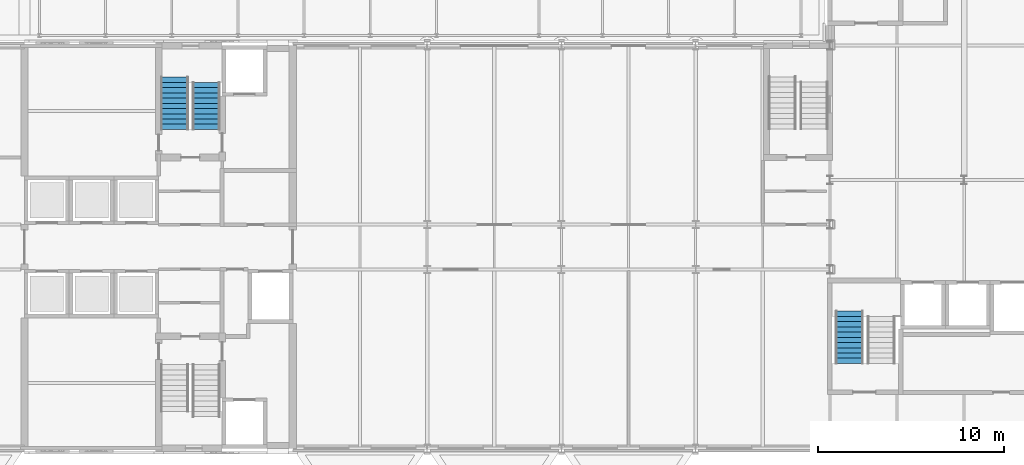
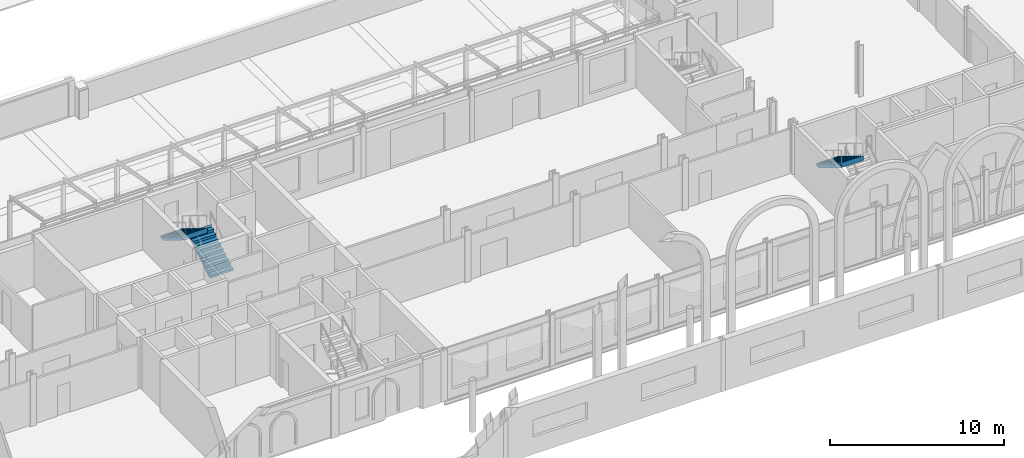
# One storey, part 100 of 143: 3 stair flights, 2 elements without a shape of their own.
"""IFC4 building model written with IfcOpenShell, lengths in metres."""

from ifc_helpers import new_model, si_unit, direction, frame, origin, place, context, subcontext, project, spatial, polyline, outline, extrude, material, type_object, element, aggregate, save


model = new_model("IFC4")

# Units and contexts
model_context = context("Model", 3, precision=1e-05, world=origin(), true_north=direction((0.0, 1.0)))
body_context = subcontext(model_context, "Body", "Model", "MODEL_VIEW")
ifc_project = project(units=[si_unit("LENGTHUNIT", "METRE"), si_unit("AREAUNIT", "SQUARE_METRE"), si_unit("VOLUMEUNIT", "CUBIC_METRE"), si_unit("PLANEANGLEUNIT", "RADIAN"), si_unit("MASSUNIT", "GRAM", prefix="KILO")], contexts=[model_context])

# Site, building, storey
site_placement = place(None, origin())
site = spatial("IfcSite", under=ifc_project, at=site_placement, CompositionType="ELEMENT")
building_placement = place(site_placement, origin())
building = spatial("IfcBuilding", under=site, at=building_placement, Name="Kupolbacken Congress Centre", CompositionType="ELEMENT")
storey_placement = place(building_placement, frame((0.0, 0.0, 7.199951171875)))
storey = spatial("IfcBuildingStorey", under=building, at=storey_placement, Name="L02", CompositionType="ELEMENT", Elevation=7.199951171875)

# Stair, stair flights
ifc_material_1 = material(Name="Steel S355", Category="steel")
stair_type = type_object("IfcStairType", Name="ST2 stair 1500", PredefinedType="TWO_STRAIGHT_RUN_STAIR", material=ifc_material_1)
stair_1_placement = place(storey_placement, origin())
stair_1 = element("IfcStair", 1, at=stair_1_placement, inside=storey, type_object=stair_type, Name="C/stair/TS2/L02", PredefinedType="NOTDEFINED")
ifc_material_2 = material(Name="Steel S355", Category="steel")
stair_flight_type_1 = type_object("IfcStairFlightType", Name="FL3 stair flight 1500 x 10 risers", PredefinedType="STRAIGHT", material=ifc_material_2)
stair_flight_1_placement = place(storey_placement, frame((103.35009765625, 139.5048828125, 0.0), z_axis=(0.0, 0.0, 1.0), x_axis=(0.0, 1.0, 0.0)))
stair_flight_1 = element("IfcStairFlight", 2, at=stair_flight_1_placement, type_object=stair_flight_type_1, Name="TS2 flight 1", NumberOfRisers=10, NumberOfTreads=9, PredefinedType="STRAIGHT", RiserHeight=0.171428571, TreadLength=0.28, context=body_context, shape_type="SweptSolid", body=[
    extrude(outline(polyline([(0.0, 0.0), (0.0, 0.0009765625), (0.0, 0.002197265625), (0.0, 0.003173828125), (0.0, 0.004150390625), (0.0, 0.00537109375), (0.0, 0.00634765625), (0.0, 0.007568359375), (0.0, 0.008544921875), (0.0, 0.009521484375), (0.0, 0.0107421875), (0.0, 0.01171875), (0.0, 0.0126953125), (0.0, 0.013916015625), (0.0, 0.014892578125), (0.0, 0.015869140625), (0.0, 0.01708984375), (0.0, 0.01806640625), (0.0, 0.019287109375), (0.0, 0.020263671875), (0.0, 0.021240234375), (0.0, 0.0224609375), (0.0, 0.0234375), (0.0, 0.0244140625), (0.0, 0.025634765625), (0.0, 0.026611328125), (0.0, 0.027587890625), (0.0, 0.02880859375), (0.0, 0.02978515625), (0.0, 0.03076171875), (0.0, 0.031982421875), (0.0, 0.032958984375), (0.0, 0.0341796875), (0.0, 0.03515625), (0.0, 0.0361328125), (0.0, 0.037353515625), (0.0, 0.038330078125), (0.0, 0.039306640625), (0.0, 0.04052734375), (0.0, 0.04150390625), (0.0, 0.04248046875), (0.0, 0.043701171875), (0.0, 0.044677734375), (0.0, 0.0458984375), (0.0, 0.046875), (0.0, 0.0478515625), (0.0, 0.049072265625), (0.0, 0.050048828125), (0.0, 0.051025390625), (0.0, 0.05224609375), (0.0, 0.05322265625), (0.0, 0.05419921875), (0.0, 0.055419921875), (0.0, 0.056396484375), (0.0, 0.0576171875), (0.0, 0.05859375), (0.0, 0.0595703125), (0.0, 0.060791015625), (0.0, 0.061767578125), (0.0, 0.062744140625), (0.0, 0.06396484375), (0.0, 0.06494140625), (0.0, 0.06591796875), (0.0, 0.067138671875), (0.0, 0.068115234375), (0.0, 0.069091796875), (0.0, 0.0703125), (0.0, 0.0712890625), (0.0, 0.072509765625), (0.0, 0.073486328125), (0.0, 0.074462890625), (0.0, 0.07568359375), (0.0, 0.07666015625), (0.0, 0.07763671875), (0.0, 0.078857421875), (0.0, 0.079833984375), (0.0, 0.080810546875), (0.0, 0.08203125), (0.0, 0.0830078125), (0.0, 0.084228515625), (0.0, 0.085205078125), (0.0, 0.086181640625), (0.0, 0.08740234375), (0.0, 0.08837890625), (0.0, 0.08935546875), (0.0, 0.090576171875), (0.0, 0.091552734375), (0.0, 0.092529296875), (0.0, 0.09375), (0.0, 0.0947265625), (0.0, 0.095947265625), (0.0, 0.096923828125), (0.0, 0.097900390625), (0.0, 0.09912109375), (0.0, 0.10009765625), (0.0, 0.10107421875), (0.0, 0.102294921875), (0.0, 0.103271484375), (0.0, 0.104248046875), (0.0, 0.10546875), (0.0, 0.1064453125), (0.0, 0.107421875), (0.0, 0.108642578125), (0.0, 0.109619140625), (0.0, 0.11083984375), (0.0, 0.11181640625), (0.0, 0.11279296875), (0.0, 0.114013671875), (0.0, 0.114990234375), (0.0, 0.115966796875), (0.0, 0.1171875), (0.0, 0.1181640625), (0.0, 0.119140625), (0.0, 0.120361328125), (0.0, 0.121337890625), (0.0, 0.12255859375), (0.0, 0.12353515625), (0.0, 0.12451171875), (0.0, 0.125732421875), (0.0, 0.126708984375), (0.0, 0.127685546875), (0.0, 0.12890625), (0.0, 0.1298828125), (0.0, 0.130859375), (0.0, 0.132080078125), (0.0, 0.133056640625), (0.0, 0.13427734375), (0.0, 0.13525390625), (0.0, 0.13623046875), (0.0, 0.137451171875), (0.0, 0.138427734375), (0.0, 0.139404296875), (0.0, 0.140625), (0.0, 0.1416015625), (0.0, 0.142578125), (0.0, 0.143798828125), (0.0, 0.144775390625), (0.0, 0.145751953125), (0.0, 0.14697265625), (0.0, 0.14794921875), (0.0, 0.149169921875), (0.0, 0.150146484375), (0.0, 0.151123046875), (0.0, 0.15234375), (0.0, 0.1533203125), (0.0, 0.154296875), (0.0, 0.155517578125), (0.0, 0.156494140625), (0.0, 0.157470703125), (0.0, 0.15869140625), (0.0, 0.15966796875), (0.0, 0.160888671875), (0.0, 0.161865234375), (0.0, 0.162841796875), (0.0, 0.1640625), (0.0, 0.1650390625), (0.0, 0.166015625), (0.0, 0.167236328125), (0.0, 0.168212890625), (0.0, 0.169189453125), (0.0, 0.17041015625), (0.0, 0.17138671875), (0.280029296875, 0.17138671875), (0.280029296875, 0.3427734375), (0.56005859375, 0.3427734375), (0.56005859375, 0.514404296875), (0.840087890625, 0.514404296875), (0.840087890625, 0.685791015625), (1.1201171875, 0.685791015625), (1.1201171875, 0.857177734375), (1.39990234375, 0.857177734375), (1.39990234375, 1.028564453125), (1.679931640625, 1.028564453125), (1.679931640625, 1.199951171875), (1.9599609375, 1.199951171875), (1.9599609375, 1.371337890625), (2.239990234375, 1.371337890625), (2.239990234375, 1.54296875), (2.52001953125, 1.54296875), (2.52001953125, 1.71435546875), (2.52197265625, 1.71435546875), (2.52197265625, 1.712158203125), (2.52197265625, 1.7099609375), (2.52197265625, 1.707763671875), (2.52197265625, 1.70556640625), (2.52197265625, 1.70361328125), (2.52197265625, 1.701416015625), (2.52197265625, 1.69921875), (2.52197265625, 1.697021484375), (2.52197265625, 1.69482421875), (2.52197265625, 1.692626953125), (2.52197265625, 1.690673828125), (2.52197265625, 1.6884765625), (2.52197265625, 1.686279296875), (2.52197265625, 1.68408203125), (2.52197265625, 1.681884765625), (2.52197265625, 1.6796875), (2.52197265625, 1.677734375), (2.52197265625, 1.675537109375), (2.52197265625, 1.67333984375), (2.52197265625, 1.671142578125), (2.52197265625, 1.6689453125), (2.52197265625, 1.666748046875), (2.52197265625, 1.664794921875), (2.52197265625, 1.66259765625), (2.52197265625, 1.660400390625), (2.52197265625, 1.658203125), (2.52197265625, 1.656005859375), (2.52197265625, 1.65380859375), (2.52197265625, 1.65185546875), (2.52197265625, 1.649658203125), (2.52197265625, 1.6474609375), (2.52197265625, 1.645263671875), (2.52197265625, 1.64306640625), (2.52197265625, 1.640869140625), (2.52197265625, 1.638916015625), (2.52197265625, 1.63671875), (2.52197265625, 1.634521484375), (2.52197265625, 1.63232421875), (2.52197265625, 1.630126953125), (2.52197265625, 1.6279296875), (2.52197265625, 1.6259765625), (2.52197265625, 1.623779296875), (2.52197265625, 1.62158203125), (2.52197265625, 1.619384765625), (2.52197265625, 1.6171875), (2.52197265625, 1.614990234375), (2.52197265625, 1.613037109375), (2.52197265625, 1.61083984375), (2.52197265625, 1.608642578125), (2.52197265625, 1.6064453125), (2.52197265625, 1.604248046875), (2.52197265625, 1.60205078125), (2.52197265625, 1.60009765625), (2.52197265625, 1.597900390625), (2.52197265625, 1.595703125), (2.52197265625, 1.593505859375), (2.52197265625, 1.59130859375), (2.52197265625, 1.589111328125), (2.52197265625, 1.587158203125), (2.52197265625, 1.5849609375), (2.52197265625, 1.582763671875), (2.52197265625, 1.58056640625), (2.52197265625, 1.578369140625), (2.52197265625, 1.576171875), (2.52197265625, 1.57421875), (2.52197265625, 1.572021484375), (2.52197265625, 1.56982421875), (2.52197265625, 1.567626953125), (2.52197265625, 1.5654296875), (2.52197265625, 1.563232421875), (2.52197265625, 1.561279296875), (2.52197265625, 1.55908203125), (2.52197265625, 1.556884765625), (2.52197265625, 1.5546875), (2.52197265625, 1.552490234375), (2.52197265625, 1.55029296875), (2.52197265625, 1.54833984375), (2.52197265625, 1.546142578125), (2.52197265625, 1.5439453125), (2.52197265625, 1.541748046875), (2.52197265625, 1.53955078125), (2.52197265625, 1.537353515625), (2.52197265625, 1.535400390625), (2.52197265625, 1.533203125), (2.52197265625, 1.531005859375), (2.52197265625, 1.52880859375), (2.52197265625, 1.526611328125), (2.52197265625, 1.5244140625), (2.52197265625, 1.5224609375), (2.52197265625, 1.520263671875), (2.52197265625, 1.51806640625), (2.52197265625, 1.515869140625), (2.52197265625, 1.513671875), (2.52197265625, 1.511474609375), (2.52197265625, 1.509521484375), (2.52197265625, 1.50732421875), (2.52197265625, 1.505126953125), (2.52197265625, 1.5029296875), (2.52197265625, 1.500732421875), (2.52197265625, 1.49853515625), (2.52197265625, 1.49658203125), (2.52197265625, 1.494384765625), (2.52197265625, 1.4921875), (2.52197265625, 1.489990234375), (2.52197265625, 1.48779296875), (2.52197265625, 1.485595703125), (2.52197265625, 1.483642578125), (2.52197265625, 1.4814453125), (2.52197265625, 1.479248046875), (2.52197265625, 1.47705078125), (2.52197265625, 1.474853515625), (2.52197265625, 1.47265625), (2.52197265625, 1.470703125), (2.52197265625, 1.468505859375), (2.52197265625, 1.46630859375), (2.52197265625, 1.464111328125), (2.52197265625, 1.4619140625), (2.52197265625, 1.459716796875), (2.52197265625, 1.457763671875), (2.52197265625, 1.45556640625), (2.52197265625, 1.453369140625), (2.52197265625, 1.451171875), (2.52197265625, 1.448974609375), (2.52197265625, 1.44677734375), (2.52197265625, 1.44482421875), (2.52197265625, 1.442626953125), (2.52197265625, 1.4404296875), (2.52197265625, 1.438232421875), (2.52197265625, 1.43603515625), (2.52197265625, 1.433837890625), (2.52197265625, 1.431884765625), (2.52197265625, 1.4296875), (2.52197265625, 1.427490234375), (2.52197265625, 1.42529296875), (2.52197265625, 1.423095703125), (2.52197265625, 1.4208984375), (2.52197265625, 1.4189453125), (2.52197265625, 1.416748046875), (2.52197265625, 1.41455078125), (2.52197265625, 1.412353515625), (2.52197265625, 1.41015625), (2.52197265625, 1.407958984375), (2.52197265625, 1.406005859375), (2.52197265625, 1.40380859375), (2.52197265625, 1.401611328125), (2.52197265625, 1.3994140625), (2.52197265625, 1.397216796875), (2.52197265625, 1.39501953125), (2.52197265625, 1.39306640625), (2.52197265625, 1.390869140625), (2.52197265625, 1.388671875), (2.52197265625, 1.386474609375), (2.52197265625, 1.38427734375), (2.52197265625, 1.382080078125), (2.52197265625, 1.380126953125), (2.52197265625, 1.3779296875), (2.52197265625, 1.375732421875), (2.52197265625, 1.37353515625), (2.52197265625, 1.371337890625), (2.52197265625, 1.369140625), (2.52197265625, 1.3671875), (0.2890625, 0.0), (0.0, 0.0)])), frame((0.0, 0.75, 0.0), z_axis=(0.0, -1.0, 0.0), x_axis=(1.0, 0.0, 0.0)), (0.0, 0.0, 1.0), 1.5),
])
ifc_material_3 = material(Name="Steel S355", Category="steel")
stair_flight_type_2 = type_object("IfcStairFlightType", Name="FL4 stair flight 1500 x 11 risers", PredefinedType="STRAIGHT", material=ifc_material_3)
stair_flight_2_placement = place(storey_placement, frame((101.64990234375, 142.304931640625, 1.71435546875), z_axis=(0.0, 0.0, 1.0), x_axis=(0.0, -1.0, 0.0)))
stair_flight_2 = element("IfcStairFlight", 3, at=stair_flight_2_placement, type_object=stair_flight_type_2, Name="TS2 flight 2", NumberOfRisers=11, NumberOfTreads=10, PredefinedType="STRAIGHT", RiserHeight=0.171428571, TreadLength=0.28, context=body_context, shape_type="SweptSolid", body=[
    extrude(outline(polyline([(0.0, 0.0), (0.0, 0.0009765625), (0.0, 0.002197265625), (0.0, 0.003173828125), (0.0, 0.004150390625), (0.0, 0.00537109375), (0.0, 0.00634765625), (0.0, 0.007568359375), (0.0, 0.008544921875), (0.0, 0.009521484375), (0.0, 0.0107421875), (0.0, 0.01171875), (0.0, 0.0126953125), (0.0, 0.013916015625), (0.0, 0.014892578125), (0.0, 0.015869140625), (0.0, 0.01708984375), (0.0, 0.01806640625), (0.0, 0.019287109375), (0.0, 0.020263671875), (0.0, 0.021240234375), (0.0, 0.0224609375), (0.0, 0.0234375), (0.0, 0.0244140625), (0.0, 0.025634765625), (0.0, 0.026611328125), (0.0, 0.027587890625), (0.0, 0.02880859375), (0.0, 0.02978515625), (0.0, 0.03076171875), (0.0, 0.031982421875), (0.0, 0.032958984375), (0.0, 0.0341796875), (0.0, 0.03515625), (0.0, 0.0361328125), (0.0, 0.037353515625), (0.0, 0.038330078125), (0.0, 0.039306640625), (0.0, 0.04052734375), (0.0, 0.04150390625), (0.0, 0.04248046875), (0.0, 0.043701171875), (0.0, 0.044677734375), (0.0, 0.0458984375), (0.0, 0.046875), (0.0, 0.0478515625), (0.0, 0.049072265625), (0.0, 0.050048828125), (0.0, 0.051025390625), (0.0, 0.05224609375), (0.0, 0.05322265625), (0.0, 0.05419921875), (0.0, 0.055419921875), (0.0, 0.056396484375), (0.0, 0.0576171875), (0.0, 0.05859375), (0.0, 0.0595703125), (0.0, 0.060791015625), (0.0, 0.061767578125), (0.0, 0.062744140625), (0.0, 0.06396484375), (0.0, 0.06494140625), (0.0, 0.06591796875), (0.0, 0.067138671875), (0.0, 0.068115234375), (0.0, 0.069091796875), (0.0, 0.0703125), (0.0, 0.0712890625), (0.0, 0.072509765625), (0.0, 0.073486328125), (0.0, 0.074462890625), (0.0, 0.07568359375), (0.0, 0.07666015625), (0.0, 0.07763671875), (0.0, 0.078857421875), (0.0, 0.079833984375), (0.0, 0.080810546875), (0.0, 0.08203125), (0.0, 0.0830078125), (0.0, 0.084228515625), (0.0, 0.085205078125), (0.0, 0.086181640625), (0.0, 0.08740234375), (0.0, 0.08837890625), (0.0, 0.08935546875), (0.0, 0.090576171875), (0.0, 0.091552734375), (0.0, 0.092529296875), (0.0, 0.09375), (0.0, 0.0947265625), (0.0, 0.095947265625), (0.0, 0.096923828125), (0.0, 0.097900390625), (0.0, 0.09912109375), (0.0, 0.10009765625), (0.0, 0.10107421875), (0.0, 0.102294921875), (0.0, 0.103271484375), (0.0, 0.104248046875), (0.0, 0.10546875), (0.0, 0.1064453125), (0.0, 0.107421875), (0.0, 0.108642578125), (0.0, 0.109619140625), (0.0, 0.11083984375), (0.0, 0.11181640625), (0.0, 0.11279296875), (0.0, 0.114013671875), (0.0, 0.114990234375), (0.0, 0.115966796875), (0.0, 0.1171875), (0.0, 0.1181640625), (0.0, 0.119140625), (0.0, 0.120361328125), (0.0, 0.121337890625), (0.0, 0.12255859375), (0.0, 0.12353515625), (0.0, 0.12451171875), (0.0, 0.125732421875), (0.0, 0.126708984375), (0.0, 0.127685546875), (0.0, 0.12890625), (0.0, 0.1298828125), (0.0, 0.130859375), (0.0, 0.132080078125), (0.0, 0.133056640625), (0.0, 0.13427734375), (0.0, 0.13525390625), (0.0, 0.13623046875), (0.0, 0.137451171875), (0.0, 0.138427734375), (0.0, 0.139404296875), (0.0, 0.140625), (0.0, 0.1416015625), (0.0, 0.142578125), (0.0, 0.143798828125), (0.0, 0.144775390625), (0.0, 0.145751953125), (0.0, 0.14697265625), (0.0, 0.14794921875), (0.0, 0.149169921875), (0.0, 0.150146484375), (0.0, 0.151123046875), (0.0, 0.15234375), (0.0, 0.1533203125), (0.0, 0.154296875), (0.0, 0.155517578125), (0.0, 0.156494140625), (0.0, 0.157470703125), (0.0, 0.15869140625), (0.0, 0.15966796875), (0.0, 0.160888671875), (0.0, 0.161865234375), (0.0, 0.162841796875), (0.0, 0.1640625), (0.0, 0.1650390625), (0.0, 0.166015625), (0.0, 0.167236328125), (0.0, 0.168212890625), (0.0, 0.169189453125), (0.0, 0.17041015625), (0.0, 0.17138671875), (0.280029296875, 0.17138671875), (0.280029296875, 0.3427734375), (0.56005859375, 0.3427734375), (0.56005859375, 0.514404296875), (0.840087890625, 0.514404296875), (0.840087890625, 0.685791015625), (1.1201171875, 0.685791015625), (1.1201171875, 0.857177734375), (1.39990234375, 0.857177734375), (1.39990234375, 1.028564453125), (1.679931640625, 1.028564453125), (1.679931640625, 1.199951171875), (1.9599609375, 1.199951171875), (1.9599609375, 1.371337890625), (2.239990234375, 1.371337890625), (2.239990234375, 1.54296875), (2.52001953125, 1.54296875), (2.52001953125, 1.71435546875), (2.800048828125, 1.71435546875), (2.800048828125, 1.8857421875), (2.802001953125, 1.8857421875), (2.802001953125, 1.883544921875), (2.802001953125, 1.88134765625), (2.802001953125, 1.879150390625), (2.802001953125, 1.877197265625), (2.802001953125, 1.875), (2.802001953125, 1.872802734375), (2.802001953125, 1.87060546875), (2.802001953125, 1.868408203125), (2.802001953125, 1.8662109375), (2.802001953125, 1.8642578125), (2.802001953125, 1.862060546875), (2.802001953125, 1.85986328125), (2.802001953125, 1.857666015625), (2.802001953125, 1.85546875), (2.802001953125, 1.853271484375), (2.802001953125, 1.851318359375), (2.802001953125, 1.84912109375), (2.802001953125, 1.846923828125), (2.802001953125, 1.8447265625), (2.802001953125, 1.842529296875), (2.802001953125, 1.84033203125), (2.802001953125, 1.83837890625), (2.802001953125, 1.836181640625), (2.802001953125, 1.833984375), (2.802001953125, 1.831787109375), (2.802001953125, 1.82958984375), (2.802001953125, 1.827392578125), (2.802001953125, 1.825439453125), (2.802001953125, 1.8232421875), (2.802001953125, 1.821044921875), (2.802001953125, 1.81884765625), (2.802001953125, 1.816650390625), (2.802001953125, 1.814453125), (2.802001953125, 1.8125), (2.802001953125, 1.810302734375), (2.802001953125, 1.80810546875), (2.802001953125, 1.805908203125), (2.802001953125, 1.8037109375), (2.802001953125, 1.801513671875), (2.802001953125, 1.799560546875), (2.802001953125, 1.79736328125), (2.802001953125, 1.795166015625), (2.802001953125, 1.79296875), (2.802001953125, 1.790771484375), (2.802001953125, 1.78857421875), (2.802001953125, 1.78662109375), (2.802001953125, 1.784423828125), (2.802001953125, 1.7822265625), (2.802001953125, 1.780029296875), (2.802001953125, 1.77783203125), (2.802001953125, 1.775634765625), (2.802001953125, 1.773681640625), (2.802001953125, 1.771484375), (2.802001953125, 1.769287109375), (2.802001953125, 1.76708984375), (2.802001953125, 1.764892578125), (2.802001953125, 1.7626953125), (2.802001953125, 1.7607421875), (2.802001953125, 1.758544921875), (2.802001953125, 1.75634765625), (2.802001953125, 1.754150390625), (2.802001953125, 1.751953125), (2.802001953125, 1.749755859375), (2.802001953125, 1.747802734375), (2.802001953125, 1.74560546875), (2.802001953125, 1.743408203125), (2.802001953125, 1.7412109375), (2.802001953125, 1.739013671875), (2.802001953125, 1.73681640625), (2.802001953125, 1.73486328125), (2.802001953125, 1.732666015625), (2.802001953125, 1.73046875), (2.802001953125, 1.728271484375), (2.802001953125, 1.72607421875), (2.802001953125, 1.723876953125), (2.802001953125, 1.721923828125), (2.802001953125, 1.7197265625), (2.802001953125, 1.717529296875), (2.802001953125, 1.71533203125), (2.802001953125, 1.713134765625), (2.802001953125, 1.7109375), (2.802001953125, 1.708984375), (2.802001953125, 1.706787109375), (2.802001953125, 1.70458984375), (2.802001953125, 1.702392578125), (2.802001953125, 1.7001953125), (2.802001953125, 1.697998046875), (2.802001953125, 1.696044921875), (2.802001953125, 1.69384765625), (2.802001953125, 1.691650390625), (2.802001953125, 1.689453125), (2.802001953125, 1.687255859375), (2.802001953125, 1.68505859375), (2.802001953125, 1.68310546875), (2.802001953125, 1.680908203125), (2.802001953125, 1.6787109375), (2.802001953125, 1.676513671875), (2.802001953125, 1.67431640625), (2.802001953125, 1.672119140625), (2.802001953125, 1.670166015625), (2.802001953125, 1.66796875), (2.802001953125, 1.665771484375), (2.802001953125, 1.66357421875), (2.802001953125, 1.661376953125), (2.802001953125, 1.6591796875), (2.802001953125, 1.6572265625), (2.802001953125, 1.655029296875), (2.802001953125, 1.65283203125), (2.802001953125, 1.650634765625), (2.802001953125, 1.6484375), (2.802001953125, 1.646240234375), (2.802001953125, 1.644287109375), (2.802001953125, 1.64208984375), (2.802001953125, 1.639892578125), (2.802001953125, 1.6376953125), (2.802001953125, 1.635498046875), (2.802001953125, 1.63330078125), (2.802001953125, 1.63134765625), (2.802001953125, 1.629150390625), (2.802001953125, 1.626953125), (2.802001953125, 1.624755859375), (2.802001953125, 1.62255859375), (2.802001953125, 1.620361328125), (2.802001953125, 1.618408203125), (2.802001953125, 1.6162109375), (2.802001953125, 1.614013671875), (2.802001953125, 1.61181640625), (2.802001953125, 1.609619140625), (2.802001953125, 1.607421875), (2.802001953125, 1.60546875), (2.802001953125, 1.603271484375), (2.802001953125, 1.60107421875), (2.802001953125, 1.598876953125), (2.802001953125, 1.5966796875), (2.802001953125, 1.594482421875), (2.802001953125, 1.592529296875), (2.802001953125, 1.59033203125), (2.802001953125, 1.588134765625), (2.802001953125, 1.5859375), (2.802001953125, 1.583740234375), (2.802001953125, 1.58154296875), (2.802001953125, 1.57958984375), (2.802001953125, 1.577392578125), (2.802001953125, 1.5751953125), (2.802001953125, 1.572998046875), (2.802001953125, 1.57080078125), (2.802001953125, 1.568603515625), (2.802001953125, 1.566650390625), (2.802001953125, 1.564453125), (2.802001953125, 1.562255859375), (2.802001953125, 1.56005859375), (2.802001953125, 1.557861328125), (2.802001953125, 1.5556640625), (2.802001953125, 1.5537109375), (2.802001953125, 1.551513671875), (2.802001953125, 1.54931640625), (2.802001953125, 1.547119140625), (2.802001953125, 1.544921875), (2.802001953125, 1.542724609375), (2.802001953125, 1.540771484375), (2.802001953125, 1.53857421875), (0.2890625, 0.0), (0.0, 0.0)])), frame((0.0, 0.75, 0.0), z_axis=(0.0, -1.0, 0.0), x_axis=(1.0, 0.0, 0.0)), (0.0, 0.0, 1.0), 1.5),
])
aggregate(stair_1, [stair_flight_1, stair_flight_2])

# Stair, stair flight
stair_2_placement = place(storey_placement, origin())
stair_2 = element("IfcStair", 4, at=stair_2_placement, inside=storey, type_object=stair_type, Name="C/stair/BS1/L02", PredefinedType="NOTDEFINED")
stair_flight_3_placement = place(storey_placement, frame((137.85009765625, 129.7548828125, 1.71435546875), z_axis=(0.0, 0.0, 1.0), x_axis=(0.0, -1.0, 0.0)))
stair_flight_3 = element("IfcStairFlight", 5, at=stair_flight_3_placement, type_object=stair_flight_type_2, Name="BS1 flight 2", NumberOfRisers=11, NumberOfTreads=10, PredefinedType="STRAIGHT", RiserHeight=0.171428571, TreadLength=0.28, context=body_context, shape_type="SweptSolid", body=[
    extrude(outline(polyline([(0.0, 0.0), (0.0, 0.0009765625), (0.0, 0.002197265625), (0.0, 0.003173828125), (0.0, 0.004150390625), (0.0, 0.00537109375), (0.0, 0.00634765625), (0.0, 0.007568359375), (0.0, 0.008544921875), (0.0, 0.009521484375), (0.0, 0.0107421875), (0.0, 0.01171875), (0.0, 0.0126953125), (0.0, 0.013916015625), (0.0, 0.014892578125), (0.0, 0.015869140625), (0.0, 0.01708984375), (0.0, 0.01806640625), (0.0, 0.019287109375), (0.0, 0.020263671875), (0.0, 0.021240234375), (0.0, 0.0224609375), (0.0, 0.0234375), (0.0, 0.0244140625), (0.0, 0.025634765625), (0.0, 0.026611328125), (0.0, 0.027587890625), (0.0, 0.02880859375), (0.0, 0.02978515625), (0.0, 0.03076171875), (0.0, 0.031982421875), (0.0, 0.032958984375), (0.0, 0.0341796875), (0.0, 0.03515625), (0.0, 0.0361328125), (0.0, 0.037353515625), (0.0, 0.038330078125), (0.0, 0.039306640625), (0.0, 0.04052734375), (0.0, 0.04150390625), (0.0, 0.04248046875), (0.0, 0.043701171875), (0.0, 0.044677734375), (0.0, 0.0458984375), (0.0, 0.046875), (0.0, 0.0478515625), (0.0, 0.049072265625), (0.0, 0.050048828125), (0.0, 0.051025390625), (0.0, 0.05224609375), (0.0, 0.05322265625), (0.0, 0.05419921875), (0.0, 0.055419921875), (0.0, 0.056396484375), (0.0, 0.0576171875), (0.0, 0.05859375), (0.0, 0.0595703125), (0.0, 0.060791015625), (0.0, 0.061767578125), (0.0, 0.062744140625), (0.0, 0.06396484375), (0.0, 0.06494140625), (0.0, 0.06591796875), (0.0, 0.067138671875), (0.0, 0.068115234375), (0.0, 0.069091796875), (0.0, 0.0703125), (0.0, 0.0712890625), (0.0, 0.072509765625), (0.0, 0.073486328125), (0.0, 0.074462890625), (0.0, 0.07568359375), (0.0, 0.07666015625), (0.0, 0.07763671875), (0.0, 0.078857421875), (0.0, 0.079833984375), (0.0, 0.080810546875), (0.0, 0.08203125), (0.0, 0.0830078125), (0.0, 0.084228515625), (0.0, 0.085205078125), (0.0, 0.086181640625), (0.0, 0.08740234375), (0.0, 0.08837890625), (0.0, 0.08935546875), (0.0, 0.090576171875), (0.0, 0.091552734375), (0.0, 0.092529296875), (0.0, 0.09375), (0.0, 0.0947265625), (0.0, 0.095947265625), (0.0, 0.096923828125), (0.0, 0.097900390625), (0.0, 0.09912109375), (0.0, 0.10009765625), (0.0, 0.10107421875), (0.0, 0.102294921875), (0.0, 0.103271484375), (0.0, 0.104248046875), (0.0, 0.10546875), (0.0, 0.1064453125), (0.0, 0.107421875), (0.0, 0.108642578125), (0.0, 0.109619140625), (0.0, 0.11083984375), (0.0, 0.11181640625), (0.0, 0.11279296875), (0.0, 0.114013671875), (0.0, 0.114990234375), (0.0, 0.115966796875), (0.0, 0.1171875), (0.0, 0.1181640625), (0.0, 0.119140625), (0.0, 0.120361328125), (0.0, 0.121337890625), (0.0, 0.12255859375), (0.0, 0.12353515625), (0.0, 0.12451171875), (0.0, 0.125732421875), (0.0, 0.126708984375), (0.0, 0.127685546875), (0.0, 0.12890625), (0.0, 0.1298828125), (0.0, 0.130859375), (0.0, 0.132080078125), (0.0, 0.133056640625), (0.0, 0.13427734375), (0.0, 0.13525390625), (0.0, 0.13623046875), (0.0, 0.137451171875), (0.0, 0.138427734375), (0.0, 0.139404296875), (0.0, 0.140625), (0.0, 0.1416015625), (0.0, 0.142578125), (0.0, 0.143798828125), (0.0, 0.144775390625), (0.0, 0.145751953125), (0.0, 0.14697265625), (0.0, 0.14794921875), (0.0, 0.149169921875), (0.0, 0.150146484375), (0.0, 0.151123046875), (0.0, 0.15234375), (0.0, 0.1533203125), (0.0, 0.154296875), (0.0, 0.155517578125), (0.0, 0.156494140625), (0.0, 0.157470703125), (0.0, 0.15869140625), (0.0, 0.15966796875), (0.0, 0.160888671875), (0.0, 0.161865234375), (0.0, 0.162841796875), (0.0, 0.1640625), (0.0, 0.1650390625), (0.0, 0.166015625), (0.0, 0.167236328125), (0.0, 0.168212890625), (0.0, 0.169189453125), (0.0, 0.17041015625), (0.0, 0.17138671875), (0.280029296875, 0.17138671875), (0.280029296875, 0.3427734375), (0.56005859375, 0.3427734375), (0.56005859375, 0.514404296875), (0.840087890625, 0.514404296875), (0.840087890625, 0.685791015625), (1.1201171875, 0.685791015625), (1.1201171875, 0.857177734375), (1.39990234375, 0.857177734375), (1.39990234375, 1.028564453125), (1.679931640625, 1.028564453125), (1.679931640625, 1.199951171875), (1.9599609375, 1.199951171875), (1.9599609375, 1.371337890625), (2.239990234375, 1.371337890625), (2.239990234375, 1.54296875), (2.52001953125, 1.54296875), (2.52001953125, 1.71435546875), (2.800048828125, 1.71435546875), (2.800048828125, 1.8857421875), (2.802001953125, 1.8857421875), (2.802001953125, 1.883544921875), (2.802001953125, 1.88134765625), (2.802001953125, 1.879150390625), (2.802001953125, 1.877197265625), (2.802001953125, 1.875), (2.802001953125, 1.872802734375), (2.802001953125, 1.87060546875), (2.802001953125, 1.868408203125), (2.802001953125, 1.8662109375), (2.802001953125, 1.8642578125), (2.802001953125, 1.862060546875), (2.802001953125, 1.85986328125), (2.802001953125, 1.857666015625), (2.802001953125, 1.85546875), (2.802001953125, 1.853271484375), (2.802001953125, 1.851318359375), (2.802001953125, 1.84912109375), (2.802001953125, 1.846923828125), (2.802001953125, 1.8447265625), (2.802001953125, 1.842529296875), (2.802001953125, 1.84033203125), (2.802001953125, 1.83837890625), (2.802001953125, 1.836181640625), (2.802001953125, 1.833984375), (2.802001953125, 1.831787109375), (2.802001953125, 1.82958984375), (2.802001953125, 1.827392578125), (2.802001953125, 1.825439453125), (2.802001953125, 1.8232421875), (2.802001953125, 1.821044921875), (2.802001953125, 1.81884765625), (2.802001953125, 1.816650390625), (2.802001953125, 1.814453125), (2.802001953125, 1.8125), (2.802001953125, 1.810302734375), (2.802001953125, 1.80810546875), (2.802001953125, 1.805908203125), (2.802001953125, 1.8037109375), (2.802001953125, 1.801513671875), (2.802001953125, 1.799560546875), (2.802001953125, 1.79736328125), (2.802001953125, 1.795166015625), (2.802001953125, 1.79296875), (2.802001953125, 1.790771484375), (2.802001953125, 1.78857421875), (2.802001953125, 1.78662109375), (2.802001953125, 1.784423828125), (2.802001953125, 1.7822265625), (2.802001953125, 1.780029296875), (2.802001953125, 1.77783203125), (2.802001953125, 1.775634765625), (2.802001953125, 1.773681640625), (2.802001953125, 1.771484375), (2.802001953125, 1.769287109375), (2.802001953125, 1.76708984375), (2.802001953125, 1.764892578125), (2.802001953125, 1.7626953125), (2.802001953125, 1.7607421875), (2.802001953125, 1.758544921875), (2.802001953125, 1.75634765625), (2.802001953125, 1.754150390625), (2.802001953125, 1.751953125), (2.802001953125, 1.749755859375), (2.802001953125, 1.747802734375), (2.802001953125, 1.74560546875), (2.802001953125, 1.743408203125), (2.802001953125, 1.7412109375), (2.802001953125, 1.739013671875), (2.802001953125, 1.73681640625), (2.802001953125, 1.73486328125), (2.802001953125, 1.732666015625), (2.802001953125, 1.73046875), (2.802001953125, 1.728271484375), (2.802001953125, 1.72607421875), (2.802001953125, 1.723876953125), (2.802001953125, 1.721923828125), (2.802001953125, 1.7197265625), (2.802001953125, 1.717529296875), (2.802001953125, 1.71533203125), (2.802001953125, 1.713134765625), (2.802001953125, 1.7109375), (2.802001953125, 1.708984375), (2.802001953125, 1.706787109375), (2.802001953125, 1.70458984375), (2.802001953125, 1.702392578125), (2.802001953125, 1.7001953125), (2.802001953125, 1.697998046875), (2.802001953125, 1.696044921875), (2.802001953125, 1.69384765625), (2.802001953125, 1.691650390625), (2.802001953125, 1.689453125), (2.802001953125, 1.687255859375), (2.802001953125, 1.68505859375), (2.802001953125, 1.68310546875), (2.802001953125, 1.680908203125), (2.802001953125, 1.6787109375), (2.802001953125, 1.676513671875), (2.802001953125, 1.67431640625), (2.802001953125, 1.672119140625), (2.802001953125, 1.670166015625), (2.802001953125, 1.66796875), (2.802001953125, 1.665771484375), (2.802001953125, 1.66357421875), (2.802001953125, 1.661376953125), (2.802001953125, 1.6591796875), (2.802001953125, 1.6572265625), (2.802001953125, 1.655029296875), (2.802001953125, 1.65283203125), (2.802001953125, 1.650634765625), (2.802001953125, 1.6484375), (2.802001953125, 1.646240234375), (2.802001953125, 1.644287109375), (2.802001953125, 1.64208984375), (2.802001953125, 1.639892578125), (2.802001953125, 1.6376953125), (2.802001953125, 1.635498046875), (2.802001953125, 1.63330078125), (2.802001953125, 1.63134765625), (2.802001953125, 1.629150390625), (2.802001953125, 1.626953125), (2.802001953125, 1.624755859375), (2.802001953125, 1.62255859375), (2.802001953125, 1.620361328125), (2.802001953125, 1.618408203125), (2.802001953125, 1.6162109375), (2.802001953125, 1.614013671875), (2.802001953125, 1.61181640625), (2.802001953125, 1.609619140625), (2.802001953125, 1.607421875), (2.802001953125, 1.60546875), (2.802001953125, 1.603271484375), (2.802001953125, 1.60107421875), (2.802001953125, 1.598876953125), (2.802001953125, 1.5966796875), (2.802001953125, 1.594482421875), (2.802001953125, 1.592529296875), (2.802001953125, 1.59033203125), (2.802001953125, 1.588134765625), (2.802001953125, 1.5859375), (2.802001953125, 1.583740234375), (2.802001953125, 1.58154296875), (2.802001953125, 1.57958984375), (2.802001953125, 1.577392578125), (2.802001953125, 1.5751953125), (2.802001953125, 1.572998046875), (2.802001953125, 1.57080078125), (2.802001953125, 1.568603515625), (2.802001953125, 1.566650390625), (2.802001953125, 1.564453125), (2.802001953125, 1.562255859375), (2.802001953125, 1.56005859375), (2.802001953125, 1.557861328125), (2.802001953125, 1.5556640625), (2.802001953125, 1.5537109375), (2.802001953125, 1.551513671875), (2.802001953125, 1.54931640625), (2.802001953125, 1.547119140625), (2.802001953125, 1.544921875), (2.802001953125, 1.542724609375), (2.802001953125, 1.540771484375), (2.802001953125, 1.53857421875), (0.2890625, 0.0), (0.0, 0.0)])), frame((0.0, 0.75, 0.0), z_axis=(0.0, -1.0, 0.0), x_axis=(1.0, 0.0, 0.0)), (0.0, 0.0, 1.0), 1.5),
])
aggregate(stair_2, [stair_flight_3])

save(model, "model.ifc")
